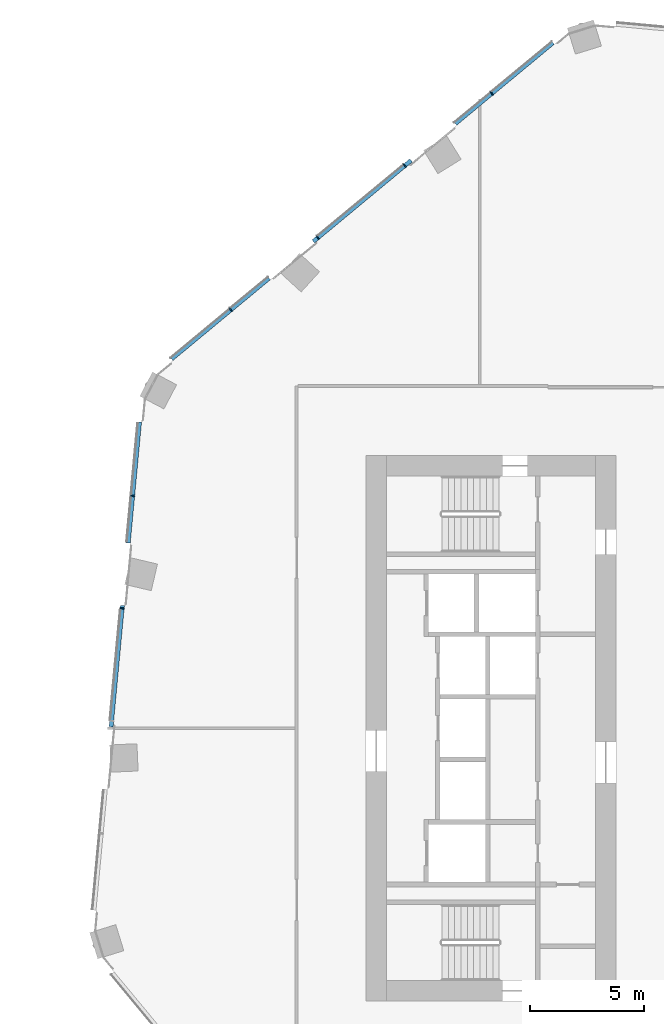
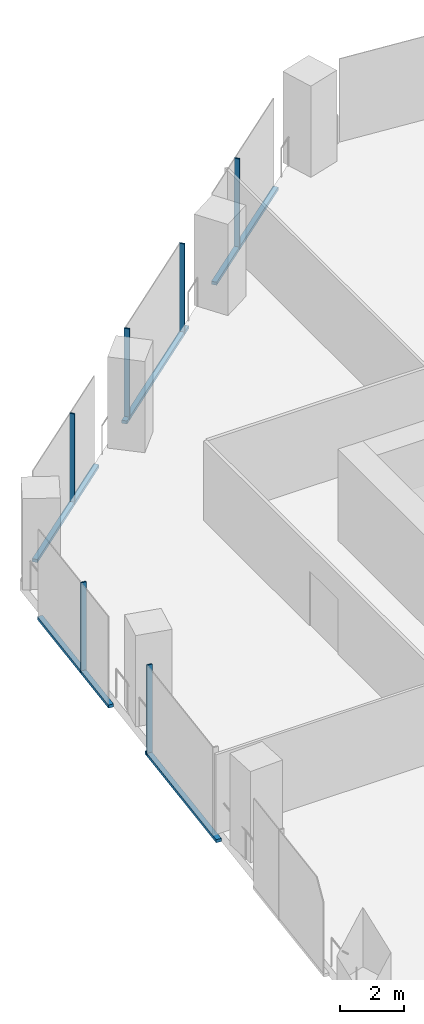
# One storey, part 9 of 28: 11 members, 2 elements without a shape of their own.
"""IFC4 building model written with IfcOpenShell, lengths in metres."""

from ifc_helpers import new_model, si_unit, direction, frame, origin, origin_2d, place, context, subcontext, project, spatial, rectangle, extrude, material, material_profile, profile_set, type_object, element, aggregate, save


model = new_model("IFC4")

# Units and contexts
model_context = context("Model", 3, precision=1e-05, world=origin(), true_north=direction((0.0, 1.0)))
body_context = subcontext(model_context, "Body", "Model", "MODEL_VIEW")
ifc_project = project(units=[si_unit("LENGTHUNIT", "METRE"), si_unit("AREAUNIT", "SQUARE_METRE"), si_unit("VOLUMEUNIT", "CUBIC_METRE"), si_unit("PLANEANGLEUNIT", "RADIAN"), si_unit("MASSUNIT", "GRAM", prefix="KILO")], contexts=[model_context])

# Site, building, storey
site_placement = place(None, origin())
site = spatial("IfcSite", under=ifc_project, at=site_placement, CompositionType="ELEMENT")
building_placement = place(site_placement, origin())
building = spatial("IfcBuilding", under=site, at=building_placement, Name="Orlundy Tower", CompositionType="ELEMENT")
storey_placement = place(building_placement, frame((0.0, 0.0, 167.10009765625)))
storey = spatial("IfcBuildingStorey", under=building, at=storey_placement, Name="L43", CompositionType="ELEMENT", Elevation=167.10009765625)

# Curtain wall, members
ifc_material_1 = material(Name="Aluminium bronze anodised", Category="aluminium")
curtain_wall_type = type_object("IfcCurtainWallType", Name="CW1 wall", PredefinedType="NOTDEFINED", material=ifc_material_1)
curtain_wall_1_placement = place(storey_placement, origin())
curtain_wall_1 = element("IfcCurtainWall", 1, at=curtain_wall_1_placement, inside=storey, type_object=curtain_wall_type, Name="CW1 run 02", PredefinedType="NOTDEFINED")
ifc_material_2 = material(Name="Aluminium bronze anodised", Category="aluminium")
ifc_material_profile_1 = material_profile(ifc_material_2, rectangle(XDim=0.179931640625, YDim=0.050048828125, at=origin_2d()), Name="CW1 mullion 50x180")
ifc_profile_set_1 = profile_set([ifc_material_profile_1], Name="Aluminium bronze anodised")
member_type_1 = type_object("IfcMemberType", Name="CW1 mullion 50x180", PredefinedType="MULLION", material=ifc_profile_set_1)
member_1_placement = place(storey_placement, frame((-29.728515625, 5.271484375, -0.420166015625), z_axis=(0.0, 0.0, 1.0), x_axis=(-0.995670958136, 0.092948066811, 0.0)))
member_1 = element("IfcMember", 2, at=member_1_placement, type_object=member_type_1, Name="CW1 mullion 12", PredefinedType="MULLION", context=body_context, shape_type="SweptSolid", body=[
    extrude(rectangle(XDim=0.179931640625, YDim=0.050048828125, at=origin_2d()), origin(), (0.0, 0.0, 1.0), 3.5),
])
member_2_placement = place(storey_placement, frame((-29.2666015625, 10.220458984375, -0.420166015625), z_axis=(0.0, 0.0, 1.0), x_axis=(-0.995670958136, 0.092948066811, 0.0)))
member_2 = element("IfcMember", 3, at=member_2_placement, type_object=member_type_1, Name="CW1 mullion 13", PredefinedType="MULLION", context=body_context, shape_type="SweptSolid", body=[
    extrude(rectangle(XDim=0.179931640625, YDim=0.050048828125, at=origin_2d()), origin(), (0.0, 0.0, 1.0), 3.5),
])

curtain_wall_2_placement = place(storey_placement, origin())
curtain_wall_2 = element("IfcCurtainWall", 4, at=curtain_wall_2_placement, inside=storey, type_object=curtain_wall_type, Name="CW1 run 03", PredefinedType="NOTDEFINED")
member_3_placement = place(storey_placement, frame((-24.9462890625, 18.403076171875, -0.420166015625), z_axis=(0.0, 0.0, 1.0), x_axis=(-0.638318424445, 0.769772426769, 0.0)))
member_3 = element("IfcMember", 5, at=member_3_placement, type_object=member_type_1, Name="CW1 mullion 15", PredefinedType="MULLION", context=body_context, shape_type="SweptSolid", body=[
    extrude(rectangle(XDim=0.179931640625, YDim=0.050048828125, at=origin_2d()), origin(), (0.0, 0.0, 1.0), 3.5),
])
member_4_placement = place(storey_placement, frame((-21.1201171875, 21.575927734375, -0.420166015625), z_axis=(0.0, 0.0, 1.0), x_axis=(-0.638318424445, 0.769772426769, 0.0)))
member_4 = element("IfcMember", 6, at=member_4_placement, type_object=member_type_1, Name="CW1 mullion 16", PredefinedType="MULLION", context=body_context, shape_type="SweptSolid", body=[
    extrude(rectangle(XDim=0.179931640625, YDim=0.050048828125, at=origin_2d()), origin(), (0.0, 0.0, 1.0), 3.5),
])
member_5_placement = place(storey_placement, frame((-17.2939453125, 24.748779296875, -0.420166015625), z_axis=(0.0, 0.0, 1.0), x_axis=(-0.638318424445, 0.769772426769, 0.0)))
member_5 = element("IfcMember", 7, at=member_5_placement, type_object=member_type_1, Name="CW1 mullion 17", PredefinedType="MULLION", context=body_context, shape_type="SweptSolid", body=[
    extrude(rectangle(XDim=0.179931640625, YDim=0.050048828125, at=origin_2d()), origin(), (0.0, 0.0, 1.0), 3.5),
])
member_6_placement = place(storey_placement, frame((-13.467529296875, 27.92138671875, -0.420166015625), z_axis=(0.0, 0.0, 1.0), x_axis=(-0.638318424445, 0.769772426769, 0.0)))
member_6 = element("IfcMember", 8, at=member_6_placement, type_object=member_type_1, Name="CW1 mullion 18", PredefinedType="MULLION", context=body_context, shape_type="SweptSolid", body=[
    extrude(rectangle(XDim=0.179931640625, YDim=0.050048828125, at=origin_2d()), origin(), (0.0, 0.0, 1.0), 3.5),
])

# Member
ifc_material_3 = material(Name="Aluminium bronze anodised", Category="aluminium")
ifc_material_profile_2 = material_profile(ifc_material_3, rectangle(XDim=0.179931640625, YDim=0.1201171875, at=origin_2d()), Name="CW1 transom 180x120")
ifc_profile_set_2 = profile_set([ifc_material_profile_2], Name="Aluminium bronze anodised")
member_type_2 = type_object("IfcMemberType", Name="CW1 transom 180x120", PredefinedType="USERDEFINED", material=ifc_profile_set_2)
member_7_placement = place(storey_placement, frame((-30.214599609375, 0.064208984375, -0.360107421875), z_axis=(0.092925838921, 0.995673032908, 0.0), x_axis=(-0.995673032908, 0.092925838921, 0.0)))
member_7 = element("IfcMember", 9, at=member_7_placement, type_object=member_type_2, Name="CW1 transom", ObjectType="TRANSOM", PredefinedType="USERDEFINED", context=body_context, shape_type="SweptSolid", body=[
    extrude(rectangle(XDim=0.179931640625, YDim=0.1201171875, at=origin_2d()), origin(), (0.0, 0.0, 1.0), 5.359619140625),
])

member_8_placement = place(storey_placement, frame((-29.460205078125, 8.147216796875, -0.360107421875), z_axis=(0.092947554704, 0.995671005942, 0.0), x_axis=(-0.995671005942, 0.092947554704, 0.0)))
member_8 = element("IfcMember", 10, at=member_8_placement, type_object=member_type_2, Name="CW1 transom", ObjectType="TRANSOM", PredefinedType="USERDEFINED", context=body_context, shape_type="SweptSolid", body=[
    extrude(rectangle(XDim=0.179931640625, YDim=0.1201171875, at=origin_2d()), origin(), (0.0, 0.0, 1.0), 5.347900390625),
])

aggregate(curtain_wall_1, [member_1, member_2, member_7, member_8])

member_9_placement = place(storey_placement, frame((-27.5498046875, 16.244140625, -0.360107421875), z_axis=(0.769761113758, 0.638332066989, 0.0), x_axis=(-0.638332066989, 0.769761113758, 0.0)))
member_9 = element("IfcMember", 11, at=member_9_placement, type_object=member_type_2, Name="CW1 transom", ObjectType="TRANSOM", PredefinedType="USERDEFINED", context=body_context, shape_type="SweptSolid", body=[
    extrude(rectangle(XDim=0.179931640625, YDim=0.1201171875, at=origin_2d()), origin(), (0.0, 0.0, 1.0), 5.567138671875),
])

member_10_placement = place(storey_placement, frame((-21.316162109375, 21.413330078125, -0.360107421875), z_axis=(0.769766339308, 0.638325765475, 0.0), x_axis=(-0.638325765475, 0.769766339308, 0.0)))
member_10 = element("IfcMember", 12, at=member_10_placement, type_object=member_type_2, Name="CW1 transom", ObjectType="TRANSOM", PredefinedType="USERDEFINED", context=body_context, shape_type="SweptSolid", body=[
    extrude(rectangle(XDim=0.179931640625, YDim=0.1201171875, at=origin_2d()), origin(), (0.0, 0.0, 1.0), 5.587158203125),
])

member_11_placement = place(storey_placement, frame((-15.06689453125, 26.595458984375, -0.360107421875), z_axis=(0.769774239867, 0.638316237955, 0.0), x_axis=(-0.638316237955, 0.769774239867, 0.0)))
member_11 = element("IfcMember", 13, at=member_11_placement, type_object=member_type_2, Name="CW1 transom", ObjectType="TRANSOM", PredefinedType="USERDEFINED", context=body_context, shape_type="SweptSolid", body=[
    extrude(rectangle(XDim=0.179931640625, YDim=0.1201171875, at=origin_2d()), origin(), (0.0, 0.0, 1.0), 5.571533203125),
])

aggregate(curtain_wall_2, [member_3, member_4, member_5, member_6, member_9, member_10, member_11])

save(model, "model.ifc")
